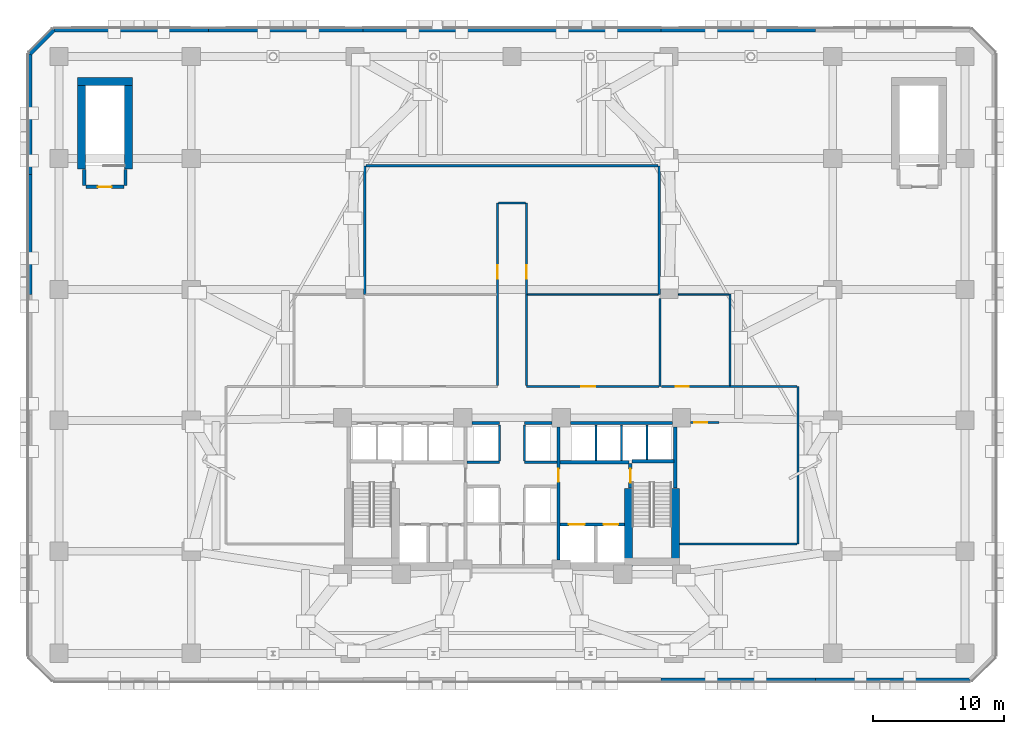
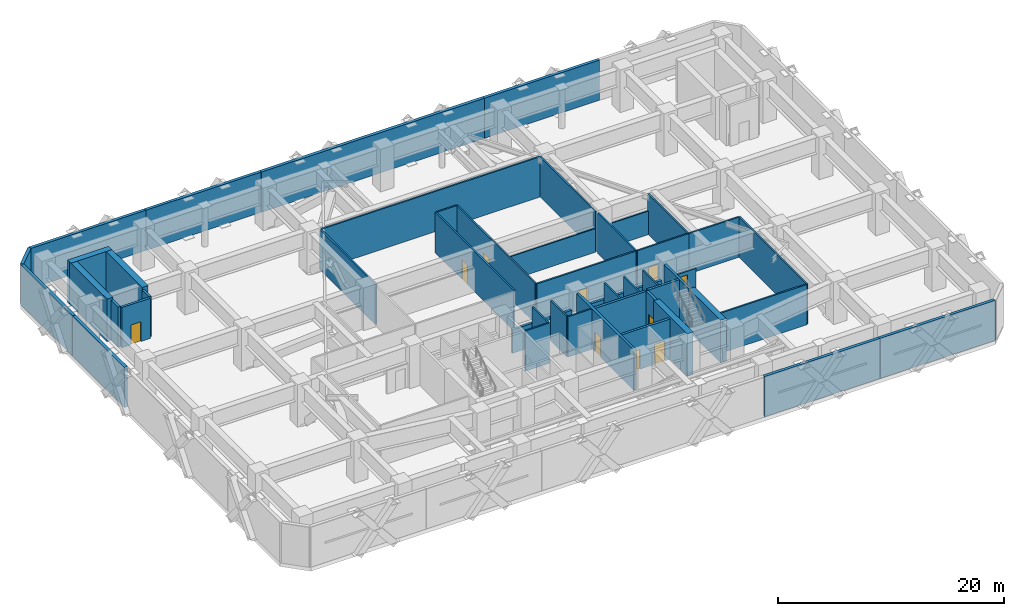
# One storey, part 10 of 14: 49 walls, 10 doors, 10 openings.
"""IFC4 building model written with IfcOpenShell, lengths in metres."""

from ifc_helpers import new_model, si_unit, direction, frame, frame_2d, origin, place, context, subcontext, project, spatial, rectangle, extrude, material, layer, layer_set, type_object, element, fill, save


model = new_model("IFC4")

# Units and contexts
model_context = context("Model", 3, precision=1e-05, world=origin(), true_north=direction((0.0, 1.0)))
body_context = subcontext(model_context, "Body", "Model", "MODEL_VIEW")
ifc_project = project(units=[si_unit("LENGTHUNIT", "METRE"), si_unit("AREAUNIT", "SQUARE_METRE"), si_unit("VOLUMEUNIT", "CUBIC_METRE"), si_unit("PLANEANGLEUNIT", "RADIAN"), si_unit("MASSUNIT", "GRAM", prefix="KILO")], contexts=[model_context])

# Site, building, storey
site_placement = place(None, origin())
site = spatial("IfcSite", under=ifc_project, at=site_placement, CompositionType="ELEMENT")
building_placement = place(site_placement, origin())
building = spatial("IfcBuilding", under=site, at=building_placement, Name="Quenlor Broadcast Tower", CompositionType="ELEMENT")
storey_placement = place(building_placement, frame((0.0, 0.0, 23.0)))
storey = spatial("IfcBuildingStorey", under=building, at=storey_placement, Name="L05", CompositionType="ELEMENT", Elevation=23.0)

# Walls
ifc_material_1 = material(Name="Concrete C65/80", Category="concrete")
ifc_layer_1 = layer(ifc_material_1, 0.60009765625)
ifc_layer_set_1 = layer_set([ifc_layer_1], Name="Core Concrete C65/80 Shear Wall 600")
wall_type_1 = type_object("IfcWallType", Name="Core Concrete C65/80 Shear Wall 600", PredefinedType="SHEAR", material=ifc_layer_set_1)
wall_1_placement = place(storey_placement, frame((12.5, -15.800048828125, 0.0), z_axis=(0.0, 0.0, 1.0), x_axis=(0.0, 1.0, 0.0)))
element("IfcWall", 1, at=wall_1_placement, inside=storey, type_object=wall_type_1, Name="L05 Core Shear Wall WF-E", PredefinedType="SHEAR", context=body_context, shape_type="SweptSolid", body=[
    extrude(rectangle(XDim=5.60009765625, YDim=0.60009765625, at=frame_2d((2.800048828125, 0.0))), origin(), (0.0, 0.0, 1.0), 4.60009765625),
])
wall_2_placement = place(storey_placement, frame((8.89990234375, -16.14990234375, 0.0), z_axis=(0.0, 0.0, 1.0), x_axis=(0.0, 1.0, 0.0)))
element("IfcWall", 2, at=wall_2_placement, inside=storey, type_object=wall_type_1, Name="L05 Core Shear Wall WI-E", PredefinedType="SHEAR", context=body_context, shape_type="SweptSolid", body=[
    extrude(rectangle(XDim=5.949951171875, YDim=0.60009765625, at=frame_2d((2.97509765625, 0.0))), origin(), (0.0, 0.0, 1.0), 4.60009765625),
])
wall_3_placement = place(storey_placement, frame((-33.199951171875, 20.89990234375, 0.0), z_axis=(0.0, 0.0, 1.0), x_axis=(1.0, 0.0, 0.0)))
element("IfcWall", 3, at=wall_3_placement, inside=storey, type_object=wall_type_1, Name="L05 Core Shear Wall ST3-N", PredefinedType="SHEAR", context=body_context, shape_type="SweptSolid", body=[
    extrude(rectangle(XDim=4.199951171875, YDim=0.60009765625, at=frame_2d((2.10009765625, 0.0))), origin(), (0.0, 0.0, 1.0), 4.60009765625),
])
for number, where, z_axis, x_axis, name in (
    (4, (-32.89990234375, 14.199951171875, 0.0), (0.0, 0.0, 1.0), (0.0, 1.0, 0.0), "L05 Core Shear Wall ST3-W"),
    (5, (-29.300048828125, 14.199951171875, 0.0), (0.0, 0.0, 1.0), (0.0, 1.0, 0.0), "L05 Core Shear Wall ST3-E"),
):
    element("IfcWall", number, at=place(storey_placement, frame(where, z_axis=z_axis, x_axis=x_axis)), inside=storey, type_object=wall_type_1, Name=name, PredefinedType="SHEAR", context=body_context, shape_type="SweptSolid", body=[
        extrude(rectangle(XDim=6.699951171875, YDim=0.60009765625, at=frame_2d((3.35009765625, 0.0))), origin(), (0.0, 0.0, 1.0), 4.60009765625),
    ])

# Wall, opening, door
ifc_material_2 = material(Name="Concrete C40/50", Category="concrete")
ifc_layer_2 = layer(ifc_material_2, 0.25)
ifc_layer_set_2 = layer_set([ifc_layer_2], Name="Fire Rated Concrete C40/50 Core Wall 250")
wall_type_2 = type_object("IfcWallType", Name="Fire Rated Concrete C40/50 Core Wall 250", PredefinedType="PARTITIONING", material=ifc_layer_set_2)
wall_4_placement = place(storey_placement, frame((9.0400390625, -10.179931640625, 0.0), z_axis=(0.0, 0.0, 1.0), x_axis=(0.0, 1.0, 0.0)))
wall_4 = element("IfcWall", 6, at=wall_4_placement, inside=storey, type_object=wall_type_2, Name="L05 Interior Wall CW-ST2-DR", PredefinedType="PARTITIONING", context=body_context, shape_type="SweptSolid", body=[
    extrude(rectangle(XDim=1.89990234375, YDim=0.25, at=frame_2d((0.949951171875, 0.0))), origin(), (0.0, 0.0, 1.0), 4.35009765625),
])
opening_1_placement = place(wall_4_placement, frame((0.419921875, 0.0, 0.0)))
opening_1 = element("IfcOpeningElement", 7, at=opening_1_placement, cuts=wall_4, Name="Opening FD-1", PredefinedType="OPENING", context=body_context, shape_type="SweptSolid", body=[
    extrude(rectangle(XDim=1.050048828125, YDim=2.14990234375, at=frame_2d((0.52490234375, 1.074951171875))), frame((0.0, 0.135009765625, 0.0), z_axis=(0.0, -1.0, 0.0), x_axis=(1.0, 0.0, 0.0)), (0.0, 0.0, 1.0), 0.27001953125),
])
ifc_material_3 = material(Name="Fire Rated Steel Door Leaf", Category="steel")
door_type_1 = type_object("IfcDoorType", Name="Fire Isolated Stair Door 1050x2150", OperationType="NOTDEFINED", PredefinedType="DOOR", material=ifc_material_3)
door_1_placement = place(opening_1_placement, origin())
door_1 = element("IfcDoor", 8, at=door_1_placement, inside=storey, type_object=door_type_1, Name="L05 Door DR-ST2", OperationType="SINGLE_SWING_RIGHT", OverallHeight=2.14990234375, OverallWidth=1.050048828125, PredefinedType="DOOR", context=body_context, shape_type="SweptSolid", body=[
    extrude(rectangle(XDim=1.050048828125, YDim=2.14990234375, at=frame_2d((0.52490234375, 1.074951171875))), frame((0.0, 0.02490234375, 0.0), z_axis=(0.0, -1.0, 0.0), x_axis=(1.0, 0.0, 0.0)), (0.0, 0.0, 1.0), 0.050048828125),
])
fill(opening_1, door_1)

# Walls
wall_5_placement = place(storey_placement, frame((9.159912109375, -8.1201171875, 0.0), z_axis=(0.0, 0.0, 1.0), x_axis=(1.0, 0.0, 0.0)))
element("IfcWall", 9, at=wall_5_placement, inside=storey, type_object=wall_type_2, Name="L05 Interior Wall CW-ST2-N", PredefinedType="PARTITIONING", context=body_context, shape_type="SweptSolid", body=[
    extrude(rectangle(XDim=3.219970703125, YDim=0.25, at=frame_2d((1.60986328125, 0.0))), origin(), (0.0, 0.0, 1.0), 4.35009765625),
])
wall_6_placement = place(storey_placement, frame((12.47998046875, -10.179931640625, 0.0), z_axis=(0.0, 0.0, 1.0), x_axis=(0.0, 1.0, 0.0)))
element("IfcWall", 10, at=wall_6_placement, inside=storey, type_object=wall_type_2, Name="L05 Interior Wall CW-ST2-E2", PredefinedType="PARTITIONING", context=body_context, shape_type="SweptSolid", body=[
    extrude(rectangle(XDim=4.677978515625, YDim=0.25, at=frame_2d((2.3388671875, 0.0))), origin(), (0.0, 0.0, 1.0), 4.35009765625),
])

# Wall, opening, door
wall_7_placement = place(storey_placement, frame((-32.550048828125, 12.840087890625, 0.0), z_axis=(0.0, 0.0, 1.0), x_axis=(1.0, 0.0, 0.0)))
wall_7 = element("IfcWall", 11, at=wall_7_placement, inside=storey, type_object=wall_type_2, Name="L05 Interior Wall CW-ST3-S", PredefinedType="PARTITIONING", context=body_context, shape_type="SweptSolid", body=[
    extrude(rectangle(XDim=2.900146484375, YDim=0.25, at=frame_2d((1.4501953125, 0.0))), origin(), (0.0, 0.0, 1.0), 4.35009765625),
])
opening_2_placement = place(wall_7_placement, frame((0.919921875, 0.0, 0.0)))
opening_2 = element("IfcOpeningElement", 12, at=opening_2_placement, cuts=wall_7, Name="Opening FD-1", PredefinedType="OPENING", context=body_context, shape_type="SweptSolid", body=[
    extrude(rectangle(XDim=1.050048828125, YDim=2.14990234375, at=frame_2d((0.52490234375, 1.074951171875))), frame((0.0, 0.135009765625, 0.0), z_axis=(0.0, -1.0, 0.0), x_axis=(1.0, 0.0, 0.0)), (0.0, 0.0, 1.0), 0.27001953125),
])
door_2_placement = place(opening_2_placement, origin())
door_2 = element("IfcDoor", 13, at=door_2_placement, inside=storey, type_object=door_type_1, Name="L05 Door DR-ST3", OperationType="SINGLE_SWING_LEFT", OverallHeight=2.14990234375, OverallWidth=1.050048828125, PredefinedType="DOOR", context=body_context, shape_type="SweptSolid", body=[
    extrude(rectangle(XDim=1.050048828125, YDim=2.14990234375, at=frame_2d((0.52490234375, 1.074951171875))), frame((0.0, 0.02490234375, 0.0), z_axis=(0.0, -1.0, 0.0), x_axis=(1.0, 0.0, 0.0)), (0.0, 0.0, 1.0), 0.050048828125),
])
fill(opening_2, door_2)

# Walls
for number, where, z_axis, x_axis, name in (
    (14, (-32.679931640625, 12.9599609375, 0.0), (0.0, 0.0, 1.0), (0.0, 1.0, 0.0), "L05 Interior Wall CW-ST3-W1"),
    (15, (-29.52001953125, 12.9599609375, 0.0), (0.0, 0.0, 1.0), (0.0, 1.0, 0.0), "L05 Interior Wall CW-ST3-E1"),
):
    element("IfcWall", number, at=place(storey_placement, frame(where, z_axis=z_axis, x_axis=x_axis)), inside=storey, type_object=wall_type_2, Name=name, PredefinedType="PARTITIONING", context=body_context, shape_type="SweptSolid", body=[
        extrude(rectangle(XDim=1.219970703125, YDim=0.25, at=frame_2d((0.60986328125, 0.0))), origin(), (0.0, 0.0, 1.0), 4.35009765625),
    ])

# Wall, openings, doors
wall_8_placement = place(storey_placement, frame((3.679931640625, -12.949951171875, 0.0), z_axis=(0.0, 0.0, 1.0), x_axis=(1.0, 0.0, 0.0)))
wall_8 = element("IfcWall", 16, at=wall_8_placement, inside=storey, type_object=wall_type_2, Name="L05 Interior Wall CW-FFE-S", PredefinedType="PARTITIONING", context=body_context, shape_type="SweptSolid", body=[
    extrude(rectangle(XDim=4.91796875, YDim=0.25, at=frame_2d((2.458984375, 0.0))), origin(), (0.0, 0.0, 1.0), 4.35009765625),
])
opening_3_placement = place(wall_8_placement, frame((3.320068359375, 0.0, 0.0)))
opening_3 = element("IfcOpeningElement", 17, at=opening_3_placement, cuts=wall_8, Name="Opening LD-FFL-2", PredefinedType="OPENING", context=body_context, shape_type="SweptSolid", body=[
    extrude(rectangle(XDim=1.10009765625, YDim=2.14990234375, at=frame_2d((0.550048828125, 1.074951171875))), frame((0.0, 0.135009765625, 0.0), z_axis=(0.0, -1.0, 0.0), x_axis=(1.0, 0.0, 0.0)), (0.0, 0.0, 1.0), 0.27001953125),
])
opening_4_placement = place(wall_8_placement, frame((0.669921875, 0.0, 0.0)))
opening_4 = element("IfcOpeningElement", 18, at=opening_4_placement, cuts=wall_8, Name="Opening LD-SVL-1", PredefinedType="OPENING", context=body_context, shape_type="SweptSolid", body=[
    extrude(rectangle(XDim=1.199951171875, YDim=2.14990234375, at=frame_2d((0.60009765625, 1.074951171875))), frame((0.0, 0.135009765625, 0.0), z_axis=(0.0, -1.0, 0.0), x_axis=(1.0, 0.0, 0.0)), (0.0, 0.0, 1.0), 0.27001953125),
])
ifc_material_4 = material(Name="Brushed Stainless Steel", Category="steel")
door_type_2 = type_object("IfcDoorType", Name="Emergency Lift Sliding Landing Door 1100x2150", OperationType="NOTDEFINED", PredefinedType="DOOR", material=ifc_material_4)
door_3_placement = place(opening_3_placement, origin())
door_3 = element("IfcDoor", 19, at=door_3_placement, inside=storey, type_object=door_type_2, Name="L05 Door LD-FFL-2", OperationType="SLIDING_TO_RIGHT", OverallHeight=2.14990234375, OverallWidth=1.10009765625, PredefinedType="DOOR", context=body_context, shape_type="SweptSolid", body=[
    extrude(rectangle(XDim=1.10009765625, YDim=2.14990234375, at=frame_2d((0.550048828125, 1.074951171875))), frame((0.0, 0.02490234375, 0.0), z_axis=(0.0, -1.0, 0.0), x_axis=(1.0, 0.0, 0.0)), (0.0, 0.0, 1.0), 0.050048828125),
])
fill(opening_3, door_3)
ifc_material_5 = material(Name="Brushed Stainless Steel", Category="steel")
door_type_3 = type_object("IfcDoorType", Name="Goods Lift Sliding Landing Door 1200x2150", OperationType="NOTDEFINED", PredefinedType="DOOR", material=ifc_material_5)
door_4_placement = place(opening_4_placement, origin())
door_4 = element("IfcDoor", 20, at=door_4_placement, inside=storey, type_object=door_type_3, Name="L05 Door LD-SVL-1", OperationType="SLIDING_TO_LEFT", OverallHeight=2.14990234375, OverallWidth=1.199951171875, PredefinedType="DOOR", context=body_context, shape_type="SweptSolid", body=[
    extrude(rectangle(XDim=1.199951171875, YDim=2.14990234375, at=frame_2d((0.60009765625, 1.074951171875))), frame((0.0, 0.02490234375, 0.0), z_axis=(0.0, -1.0, 0.0), x_axis=(1.0, 0.0, 0.0)), (0.0, 0.0, 1.0), 0.050048828125),
])
fill(opening_4, door_4)

# Wall
wall_9_placement = place(storey_placement, frame((3.679931640625, -8.199951171875, 0.0), z_axis=(0.0, 0.0, 1.0), x_axis=(1.0, 0.0, 0.0)))
element("IfcWall", 21, at=wall_9_placement, inside=storey, type_object=wall_type_2, Name="L05 Interior Wall CW-FFE-N", PredefinedType="PARTITIONING", context=body_context, shape_type="SweptSolid", body=[
    extrude(rectangle(XDim=5.239990234375, YDim=0.25, at=frame_2d((2.6201171875, 0.0))), origin(), (0.0, 0.0, 1.0), 4.35009765625),
])

# Wall, opening, door
wall_10_placement = place(storey_placement, frame((3.550048828125, -15.64794921875, 0.0), z_axis=(0.0, 0.0, 1.0), x_axis=(0.0, 1.0, 0.0)))
wall_10 = element("IfcWall", 22, at=wall_10_placement, inside=storey, type_object=wall_type_2, Name="L05 Interior Wall CW-FFE-W", PredefinedType="PARTITIONING", context=body_context, shape_type="SweptSolid", body=[
    extrude(rectangle(XDim=10.14599609375, YDim=0.25, at=frame_2d((5.072998046875, 0.0))), origin(), (0.0, 0.0, 1.0), 4.35009765625),
])
opening_5_placement = place(wall_10_placement, frame((5.947998046875, 0.0, 0.0)))
opening_5 = element("IfcOpeningElement", 23, at=opening_5_placement, cuts=wall_10, Name="Opening FD-2", PredefinedType="OPENING", context=body_context, shape_type="SweptSolid", body=[
    extrude(rectangle(XDim=1.0, YDim=2.14990234375, at=frame_2d((0.5, 1.074951171875))), frame((0.0, 0.135009765625, 0.0), z_axis=(0.0, -1.0, 0.0), x_axis=(1.0, 0.0, 0.0)), (0.0, 0.0, 1.0), 0.27001953125),
])
ifc_material_6 = material(Name="Fire Rated Glazed Steel Door", Category="steel")
door_type_4 = type_object("IfcDoorType", Name="Firefighting Lobby Smoke Door 1000x2150", OperationType="NOTDEFINED", PredefinedType="DOOR", material=ifc_material_6)
door_5_placement = place(opening_5_placement, origin())
door_5 = element("IfcDoor", 24, at=door_5_placement, inside=storey, type_object=door_type_4, Name="L05 Door DR-FFLE", OperationType="SINGLE_SWING_LEFT", OverallHeight=2.14990234375, OverallWidth=1.0, PredefinedType="DOOR", context=body_context, shape_type="SweptSolid", body=[
    extrude(rectangle(XDim=1.0, YDim=2.14990234375, at=frame_2d((0.5, 1.074951171875))), frame((0.0, 0.02490234375, 0.0), z_axis=(0.0, -1.0, 0.0), x_axis=(1.0, 0.0, 0.0)), (0.0, 0.0, 1.0), 0.050048828125),
])
fill(opening_5, door_5)

# Walls
wall_11_placement = place(storey_placement, frame((4.451904296875, -5.199951171875, 0.0), z_axis=(0.0, 0.0, 1.0), x_axis=(1.0, 0.0, 0.0)))
element("IfcWall", 25, at=wall_11_placement, inside=storey, type_object=wall_type_2, Name="L05 Interior Wall CW-N-E", PredefinedType="PARTITIONING", context=body_context, shape_type="SweptSolid", body=[
    extrude(rectangle(XDim=7.796142578125, YDim=0.25, at=frame_2d((3.89794921875, 0.0))), origin(), (0.0, 0.0, 1.0), 2.550048828125),
])
for number, where, z_axis, x_axis, name in (
    (26, (-3.048095703125, -5.199951171875, 0.0), (0.0, 0.0, 1.0), (1.0, 0.0, 0.0), "L05 Interior Wall CW-N-M1"),
    (27, (0.949951171875, -5.199951171875, 0.0), (0.0, 0.0, 1.0), (1.0, 0.0, 0.0), "L05 Interior Wall CW-N-M2"),
):
    element("IfcWall", number, at=place(storey_placement, frame(where, z_axis=z_axis, x_axis=x_axis)), inside=storey, type_object=wall_type_2, Name=name, PredefinedType="PARTITIONING", context=body_context, shape_type="SweptSolid", body=[
        extrude(rectangle(XDim=2.09814453125, YDim=0.25, at=frame_2d((1.049072265625, 0.0))), origin(), (0.0, 0.0, 1.0), 2.550048828125),
    ])
ifc_material_7 = material(Name="Gypsum Fireboard Partition", Category="other")
ifc_layer_3 = layer(ifc_material_7, 0.159912109375)
ifc_layer_set_3 = layer_set([ifc_layer_3], Name="Fire Rated Shaft and Corridor Partition 160")
wall_type_3 = type_object("IfcWallType", Name="Fire Rated Shaft and Corridor Partition 160", PredefinedType="PARTITIONING", material=ifc_layer_set_3)
for number, where, z_axis, x_axis, name in (
    (28, (6.425048828125, -8.072998046875, 0.0), (0.0, 0.0, 1.0), (0.0, 1.0, 0.0), "L05 Interior Wall CW-PLH-D1"),
    (29, (8.375, -8.072998046875, 0.0), (0.0, 0.0, 1.0), (0.0, 1.0, 0.0), "L05 Interior Wall CW-PLH-D2"),
):
    element("IfcWall", number, at=place(storey_placement, frame(where, z_axis=z_axis, x_axis=x_axis)), inside=storey, type_object=wall_type_3, Name=name, PredefinedType="PARTITIONING", context=body_context, shape_type="SweptSolid", body=[
        extrude(rectangle(XDim=2.73291015625, YDim=0.159912109375, at=frame_2d((1.366455078125, 0.0))), origin(), (0.0, 0.0, 1.0), 4.35009765625),
    ])
wall_12_placement = place(storey_placement, frame((10.324951171875, -7.992919921875, 0.0), z_axis=(0.0, 0.0, 1.0), x_axis=(0.0, 1.0, 0.0)))
element("IfcWall", 30, at=wall_12_placement, inside=storey, type_object=wall_type_3, Name="L05 Interior Wall CW-PLH-D3", PredefinedType="PARTITIONING", context=body_context, shape_type="SweptSolid", body=[
    extrude(rectangle(XDim=2.65283203125, YDim=0.159912109375, at=frame_2d((1.326416015625, 0.0))), origin(), (0.0, 0.0, 1.0), 4.35009765625),
])
for number, where, z_axis, x_axis, name in (
    (31, (-0.949951171875, -8.1201171875, 0.0), (0.0, 0.0, 1.0), (0.0, 1.0, 0.0), "L05 Interior Wall CW-CCRP-W"),
    (32, (0.949951171875, -8.1201171875, 0.0), (0.0, 0.0, 1.0), (0.0, 1.0, 0.0), "L05 Interior Wall CW-CCRP-E"),
):
    element("IfcWall", number, at=place(storey_placement, frame(where, z_axis=z_axis, x_axis=x_axis)), inside=storey, type_object=wall_type_3, Name=name, PredefinedType="PARTITIONING", context=body_context, shape_type="SweptSolid", body=[
        extrude(rectangle(XDim=2.780029296875, YDim=0.159912109375, at=frame_2d((1.39013671875, 0.0))), origin(), (0.0, 0.0, 1.0), 4.35009765625),
    ])
for number, where, z_axis, x_axis, name in (
    (33, (-3.419921875, -8.199951171875, 0.0), (0.0, 0.0, 1.0), (1.0, 0.0, 0.0), "L05 Interior Wall CW-M-BACK1"),
    (34, (0.949951171875, -8.199951171875, 0.0), (0.0, 0.0, 1.0), (1.0, 0.0, 0.0), "L05 Interior Wall CW-M-BACK2"),
):
    element("IfcWall", number, at=place(storey_placement, frame(where, z_axis=z_axis, x_axis=x_axis)), inside=storey, type_object=wall_type_3, Name=name, PredefinedType="PARTITIONING", context=body_context, shape_type="SweptSolid", body=[
        extrude(rectangle(XDim=2.469970703125, YDim=0.159912109375, at=frame_2d((1.23486328125, 0.0))), origin(), (0.0, 0.0, 1.0), 4.35009765625),
    ])
wall_13_placement = place(storey_placement, frame((21.85009765625, -14.449951171875, 0.0), z_axis=(0.0, 0.0, 1.0), x_axis=(0.0, 1.0, 0.0)))
element("IfcWall", 35, at=wall_13_placement, inside=storey, type_object=wall_type_3, Name="L05 Interior Wall PW-L05-RE-E", PredefinedType="PARTITIONING", context=body_context, shape_type="SweptSolid", body=[
    extrude(rectangle(XDim=12.030029296875, YDim=0.159912109375, at=frame_2d((6.01513671875, 0.0))), origin(), (0.0, 0.0, 1.0), 4.35009765625),
])
wall_14_placement = place(storey_placement, frame((12.802001953125, -14.449951171875, 0.0), z_axis=(0.0, 0.0, 1.0), x_axis=(1.0, 0.0, 0.0)))
element("IfcWall", 36, at=wall_14_placement, inside=storey, type_object=wall_type_3, Name="L05 Interior Wall PW-L05-RE-S", PredefinedType="PARTITIONING", context=body_context, shape_type="SweptSolid", body=[
    extrude(rectangle(XDim=8.966064453125, YDim=0.159912109375, at=frame_2d((4.48291015625, 0.0))), origin(), (0.0, 0.0, 1.0), 4.35009765625),
])
wall_15_placement = place(storey_placement, frame((16.64990234375, -2.419921875, 0.0), z_axis=(0.0, 0.0, 1.0), x_axis=(1.0, 0.0, 0.0)))
element("IfcWall", 37, at=wall_15_placement, inside=storey, type_object=wall_type_3, Name="L05 Interior Wall PW-L05-RE-N", PredefinedType="PARTITIONING", context=body_context, shape_type="SweptSolid", body=[
    extrude(rectangle(XDim=5.1181640625, YDim=0.159912109375, at=frame_2d((2.55908203125, 0.0))), origin(), (0.0, 0.0, 1.0), 4.35009765625),
])
wall_16_placement = place(storey_placement, frame((16.64990234375, -2.337890625, 0.0), z_axis=(0.0, 0.0, 1.0), x_axis=(0.0, 1.0, 0.0)))
element("IfcWall", 38, at=wall_16_placement, inside=storey, type_object=wall_type_3, Name="L05 Interior Wall PW-L05-P2E", PredefinedType="PARTITIONING", context=body_context, shape_type="SweptSolid", body=[
    extrude(rectangle(XDim=7.0078125, YDim=0.159912109375, at=frame_2d((3.50390625, 0.0))), origin(), (0.0, 0.0, 1.0), 4.35009765625),
])
wall_17_placement = place(storey_placement, frame((11.320068359375, -2.419921875, 0.0), z_axis=(0.0, 0.0, 1.0), x_axis=(0.0, 1.0, 0.0)))
element("IfcWall", 39, at=wall_17_placement, inside=storey, type_object=wall_type_3, Name="L05 Interior Wall PW-L05-RME", PredefinedType="PARTITIONING", context=body_context, shape_type="SweptSolid", body=[
    extrude(rectangle(XDim=6.718017578125, YDim=0.159912109375, at=frame_2d((3.35888671875, 0.0))), origin(), (0.0, 0.0, 1.0), 4.35009765625),
])
for number, where, z_axis, x_axis, name in (
    (40, (-11.25, 4.60009765625, 0.0), (0.0, 0.0, 1.0), (0.0, 1.0, 0.0), "L05 Interior Wall PW-L05-P3W"),
    (41, (11.25, 4.60009765625, 0.0), (0.0, 0.0, 1.0), (0.0, 1.0, 0.0), "L05 Interior Wall PW-L05-P4E"),
):
    element("IfcWall", number, at=place(storey_placement, frame(where, z_axis=z_axis, x_axis=x_axis)), inside=storey, type_object=wall_type_3, Name=name, PredefinedType="PARTITIONING", context=body_context, shape_type="SweptSolid", body=[
        extrude(rectangle(XDim=9.849853515625, YDim=0.159912109375, at=frame_2d((4.9248046875, 0.0))), origin(), (0.0, 0.0, 1.0), 4.35009765625),
    ])
wall_18_placement = place(storey_placement, frame((-11.16796875, 14.449951171875, 0.0), z_axis=(0.0, 0.0, 1.0), x_axis=(1.0, 0.0, 0.0)))
element("IfcWall", 42, at=wall_18_placement, inside=storey, type_object=wall_type_3, Name="L05 Interior Wall PW-L05-PN", PredefinedType="PARTITIONING", context=body_context, shape_type="SweptSolid", body=[
    extrude(rectangle(XDim=22.3359375, YDim=0.159912109375, at=frame_2d((11.16796875, 0.0))), origin(), (0.0, 0.0, 1.0), 4.35009765625),
])

# Wall, opening, door
wall_19_placement = place(storey_placement, frame((1.10009765625, -2.419921875, 0.0), z_axis=(0.0, 0.0, 1.0), x_axis=(1.0, 0.0, 0.0)))
wall_19 = element("IfcWall", 43, at=wall_19_placement, inside=storey, type_object=wall_type_3, Name="L05 Interior Wall PW-PL-HE", PredefinedType="PARTITIONING", context=body_context, shape_type="SweptSolid", body=[
    extrude(rectangle(XDim=10.137939453125, YDim=0.159912109375, at=frame_2d((5.06884765625, 0.0))), origin(), (0.0, 0.0, 1.0), 4.35009765625),
])
opening_6_placement = place(wall_19_placement, frame((4.199951171875, 0.0, 0.0)))
opening_6 = element("IfcOpeningElement", 44, at=opening_6_placement, cuts=wall_19, Name="Opening FD-3", PredefinedType="OPENING", context=body_context, shape_type="SweptSolid", body=[
    extrude(rectangle(XDim=1.050048828125, YDim=2.1201171875, at=frame_2d((0.52490234375, 1.06005859375))), frame((0.0, 0.08984375, 0.0), z_axis=(0.0, -1.0, 0.0), x_axis=(1.0, 0.0, 0.0)), (0.0, 0.0, 1.0), 0.179931640625),
])
ifc_material_8 = material(Name="Galvanised Fire Steel Leaf", Category="steel")
door_type_5 = type_object("IfcDoorType", Name="Plant Room Fire Rated Door 1050x2120", OperationType="NOTDEFINED", PredefinedType="DOOR", material=ifc_material_8)
door_6_placement = place(opening_6_placement, origin())
door_6 = element("IfcDoor", 45, at=door_6_placement, inside=storey, type_object=door_type_5, Name="L05 Door DR-PLT2", OperationType="SINGLE_SWING_RIGHT", OverallHeight=2.1201171875, OverallWidth=1.050048828125, PredefinedType="DOOR", context=body_context, shape_type="SweptSolid", body=[
    extrude(rectangle(XDim=1.050048828125, YDim=2.1201171875, at=frame_2d((0.52490234375, 1.06005859375))), frame((0.0, 0.02490234375, 0.0), z_axis=(0.0, -1.0, 0.0), x_axis=(1.0, 0.0, 0.0)), (0.0, 0.0, 1.0), 0.050048828125),
])
fill(opening_6, door_6)

wall_20_placement = place(storey_placement, frame((11.402099609375, -2.419921875, 0.0), z_axis=(0.0, 0.0, 1.0), x_axis=(1.0, 0.0, 0.0)))
wall_20 = element("IfcWall", 46, at=wall_20_placement, inside=storey, type_object=wall_type_3, Name="L05 Interior Wall PW-PL-HES2", PredefinedType="PARTITIONING", context=body_context, shape_type="SweptSolid", body=[
    extrude(rectangle(XDim=5.245849609375, YDim=0.159912109375, at=frame_2d((2.623046875, 0.0))), origin(), (0.0, 0.0, 1.0), 4.35009765625),
])
opening_7_placement = place(wall_20_placement, frame((1.097900390625, 0.0, 0.0)))
opening_7 = element("IfcOpeningElement", 47, at=opening_7_placement, cuts=wall_20, Name="Opening FD-2", PredefinedType="OPENING", context=body_context, shape_type="SweptSolid", body=[
    extrude(rectangle(XDim=1.0, YDim=2.14990234375, at=frame_2d((0.5, 1.074951171875))), frame((0.0, 0.08984375, 0.0), z_axis=(0.0, -1.0, 0.0), x_axis=(1.0, 0.0, 0.0)), (0.0, 0.0, 1.0), 0.179931640625),
])
door_7_placement = place(opening_7_placement, origin())
door_7 = element("IfcDoor", 48, at=door_7_placement, inside=storey, type_object=door_type_4, Name="L05 Door DR-REFE2", OperationType="SINGLE_SWING_RIGHT", OverallHeight=2.14990234375, OverallWidth=1.0, PredefinedType="DOOR", context=body_context, shape_type="SweptSolid", body=[
    extrude(rectangle(XDim=1.0, YDim=2.14990234375, at=frame_2d((0.5, 1.074951171875))), frame((0.0, 0.02490234375, 0.0), z_axis=(0.0, -1.0, 0.0), x_axis=(1.0, 0.0, 0.0)), (0.0, 0.0, 1.0), 0.050048828125),
])
fill(opening_7, door_7)

wall_21_placement = place(storey_placement, frame((-1.10009765625, -2.337890625, 0.0), z_axis=(0.0, 0.0, 1.0), x_axis=(0.0, 1.0, 0.0)))
wall_21 = element("IfcWall", 49, at=wall_21_placement, inside=storey, type_object=wall_type_3, Name="L05 Interior Wall PW-PL-SW", PredefinedType="PARTITIONING", context=body_context, shape_type="SweptSolid", body=[
    extrude(rectangle(XDim=13.93798828125, YDim=0.159912109375, at=frame_2d((6.968994140625, 0.0))), origin(), (0.0, 0.0, 1.0), 4.35009765625),
])
opening_8_placement = place(wall_21_placement, frame((8.137939453125, 0.0, 0.0)))
opening_8 = element("IfcOpeningElement", 50, at=opening_8_placement, cuts=wall_21, Name="Opening FD-3", PredefinedType="OPENING", context=body_context, shape_type="SweptSolid", body=[
    extrude(rectangle(XDim=1.050048828125, YDim=2.1201171875, at=frame_2d((0.52490234375, 1.06005859375))), frame((0.0, 0.08984375, 0.0), z_axis=(0.0, -1.0, 0.0), x_axis=(1.0, 0.0, 0.0)), (0.0, 0.0, 1.0), 0.179931640625),
])
door_8_placement = place(opening_8_placement, origin())
door_8 = element("IfcDoor", 51, at=door_8_placement, inside=storey, type_object=door_type_5, Name="L05 Door DR-PLT3", OperationType="SINGLE_SWING_LEFT", OverallHeight=2.1201171875, OverallWidth=1.050048828125, PredefinedType="DOOR", context=body_context, shape_type="SweptSolid", body=[
    extrude(rectangle(XDim=1.050048828125, YDim=2.1201171875, at=frame_2d((0.52490234375, 1.06005859375))), frame((0.0, 0.02490234375, 0.0), z_axis=(0.0, -1.0, 0.0), x_axis=(1.0, 0.0, 0.0)), (0.0, 0.0, 1.0), 0.050048828125),
])
fill(opening_8, door_8)

wall_22_placement = place(storey_placement, frame((1.10009765625, -2.337890625, 0.0), z_axis=(0.0, 0.0, 1.0), x_axis=(0.0, 1.0, 0.0)))
wall_22 = element("IfcWall", 52, at=wall_22_placement, inside=storey, type_object=wall_type_3, Name="L05 Interior Wall PW-PL-SE", PredefinedType="PARTITIONING", context=body_context, shape_type="SweptSolid", body=[
    extrude(rectangle(XDim=13.93798828125, YDim=0.159912109375, at=frame_2d((6.968994140625, 0.0))), origin(), (0.0, 0.0, 1.0), 4.35009765625),
])
opening_9_placement = place(wall_22_placement, frame((8.137939453125, 0.0, 0.0)))
opening_9 = element("IfcOpeningElement", 53, at=opening_9_placement, cuts=wall_22, Name="Opening FD-3", PredefinedType="OPENING", context=body_context, shape_type="SweptSolid", body=[
    extrude(rectangle(XDim=1.050048828125, YDim=2.1201171875, at=frame_2d((0.52490234375, 1.06005859375))), frame((0.0, 0.08984375, 0.0), z_axis=(0.0, -1.0, 0.0), x_axis=(1.0, 0.0, 0.0)), (0.0, 0.0, 1.0), 0.179931640625),
])
door_9_placement = place(opening_9_placement, origin())
door_9 = element("IfcDoor", 54, at=door_9_placement, inside=storey, type_object=door_type_5, Name="L05 Door DR-PLT4", OperationType="SINGLE_SWING_RIGHT", OverallHeight=2.1201171875, OverallWidth=1.050048828125, PredefinedType="DOOR", context=body_context, shape_type="SweptSolid", body=[
    extrude(rectangle(XDim=1.050048828125, YDim=2.1201171875, at=frame_2d((0.52490234375, 1.06005859375))), frame((0.0, 0.02490234375, 0.0), z_axis=(0.0, -1.0, 0.0), x_axis=(1.0, 0.0, 0.0)), (0.0, 0.0, 1.0), 0.050048828125),
])
fill(opening_9, door_9)

# Wall
wall_23_placement = place(storey_placement, frame((-1.01806640625, 11.60009765625, 0.0), z_axis=(0.0, 0.0, 1.0), x_axis=(1.0, 0.0, 0.0)))
element("IfcWall", 55, at=wall_23_placement, inside=storey, type_object=wall_type_3, Name="L05 Interior Wall PW-PL-N", PredefinedType="PARTITIONING", context=body_context, shape_type="SweptSolid", body=[
    extrude(rectangle(XDim=2.0361328125, YDim=0.159912109375, at=frame_2d((1.01806640625, 0.0))), origin(), (0.0, 0.0, 1.0), 4.35009765625),
])

# Wall, opening, door
wall_24_placement = place(storey_placement, frame((13.652099609375, -5.14990234375, 0.0), z_axis=(0.0, 0.0, 1.0), x_axis=(1.0, 0.0, 0.0)))
wall_24 = element("IfcWall", 56, at=wall_24_placement, inside=storey, type_object=wall_type_3, Name="L05 Interior Wall PW-RF-E", PredefinedType="PARTITIONING", context=body_context, shape_type="SweptSolid", body=[
    extrude(rectangle(XDim=2.14794921875, YDim=0.159912109375, at=frame_2d((1.073974609375, 0.0))), origin(), (0.0, 0.0, 1.0), 2.550048828125),
])
opening_10_placement = place(wall_24_placement, frame((0.258056640625, 0.0, 0.0)))
opening_10 = element("IfcOpeningElement", 57, at=opening_10_placement, cuts=wall_24, Name="Opening FD-2", PredefinedType="OPENING", context=body_context, shape_type="SweptSolid", body=[
    extrude(rectangle(XDim=1.0, YDim=2.14990234375, at=frame_2d((0.5, 1.074951171875))), frame((0.0, 0.08984375, 0.0), z_axis=(0.0, -1.0, 0.0), x_axis=(1.0, 0.0, 0.0)), (0.0, 0.0, 1.0), 0.179931640625),
])
door_10_placement = place(opening_10_placement, origin())
door_10 = element("IfcDoor", 58, at=door_10_placement, inside=storey, type_object=door_type_4, Name="L05 Door DR-REFE", OperationType="SINGLE_SWING_RIGHT", OverallHeight=2.14990234375, OverallWidth=1.0, PredefinedType="DOOR", context=body_context, shape_type="SweptSolid", body=[
    extrude(rectangle(XDim=1.0, YDim=2.14990234375, at=frame_2d((0.5, 1.074951171875))), frame((0.0, 0.02490234375, 0.0), z_axis=(0.0, -1.0, 0.0), x_axis=(1.0, 0.0, 0.0)), (0.0, 0.0, 1.0), 0.050048828125),
])
fill(opening_10, door_10)

# Walls
ifc_material_9 = material(Name="Gypsum Plasterboard Partition", Category="other")
ifc_layer_4 = layer(ifc_material_9, 0.1201171875)
ifc_layer_set_4 = layer_set([ifc_layer_4], Name="Standard Office Partition 120")
wall_type_4 = type_object("IfcWallType", Name="Standard Office Partition 120", PredefinedType="PARTITIONING", material=ifc_layer_set_4)
wall_25_placement = place(storey_placement, frame((1.181884765625, 4.60009765625, 0.0), z_axis=(0.0, 0.0, 1.0), x_axis=(1.0, 0.0, 0.0)))
element("IfcWall", 59, at=wall_25_placement, inside=storey, type_object=wall_type_4, Name="L05 Interior Wall PW-PL-YE", PredefinedType="PARTITIONING", context=body_context, shape_type="SweptSolid", body=[
    extrude(rectangle(XDim=9.986083984375, YDim=0.1201171875, at=frame_2d((4.9931640625, 0.0))), origin(), (0.0, 0.0, 1.0), 2.550048828125),
])
wall_26_placement = place(storey_placement, frame((12.701904296875, 4.60009765625, 0.0), z_axis=(0.0, 0.0, 1.0), x_axis=(1.0, 0.0, 0.0)))
element("IfcWall", 60, at=wall_26_placement, inside=storey, type_object=wall_type_4, Name="L05 Interior Wall PW-PL-YES2", PredefinedType="PARTITIONING", context=body_context, shape_type="SweptSolid", body=[
    extrude(rectangle(XDim=3.8662109375, YDim=0.1201171875, at=frame_2d((1.93310546875, 0.0))), origin(), (0.0, 0.0, 1.0), 2.550048828125),
])
ifc_material_10 = material(Name="Precast concrete C40/50", Category="concrete")
ifc_layer_5 = layer(ifc_material_10, 0.320068359375)
ifc_layer_set_5 = layer_set([ifc_layer_5], Name="Station Podium Precast Concrete C40/50 Facade Wall 320")
wall_type_5 = type_object("IfcWallType", Name="Station Podium Precast Concrete C40/50 Facade Wall 320", PredefinedType="STANDARD", material=ifc_layer_set_5)
wall_27_placement = place(storey_placement, frame((-11.39990234375, 24.820068359375, 0.0), z_axis=(0.0, 0.0, 1.0), x_axis=(1.0, 0.0, 0.0)))
element("IfcWall", 61, at=wall_27_placement, inside=storey, type_object=wall_type_5, Name="L05 Exterior Wall L05-EW-NM", PredefinedType="STANDARD", context=body_context, shape_type="SweptSolid", body=[
    extrude(rectangle(XDim=22.7998046875, YDim=0.320068359375, at=frame_2d((11.39990234375, 0.0))), origin(), (0.0, 0.0, 1.0), 4.35009765625),
])
for number, where, z_axis, x_axis, name in (
    (62, (-36.820068359375, 4.60009765625, 0.0), (0.0, 0.0, 1.0), (0.0, 1.0, 0.0), "L05 Exterior Wall L05-EW-W4"),
    (63, (-36.820068359375, 13.800048828125, 0.0), (0.0, 0.0, 1.0), (0.0, 1.0, 0.0), "L05 Exterior Wall L05-EW-W5"),
):
    element("IfcWall", number, at=place(storey_placement, frame(where, z_axis=z_axis, x_axis=x_axis)), inside=storey, type_object=wall_type_5, Name=name, PredefinedType="STANDARD", context=body_context, shape_type="SweptSolid", body=[
        extrude(rectangle(XDim=9.199951171875, YDim=0.320068359375, at=frame_2d((4.60009765625, 0.0))), origin(), (0.0, 0.0, 1.0), 4.35009765625),
    ])
wall_28_placement = place(storey_placement, frame((-36.820068359375, 23.0, 0.0), z_axis=(0.0, 0.0, 1.0), x_axis=(0.707106781187, 0.707106781187, 0.0)))
element("IfcWall", 64, at=wall_28_placement, inside=storey, type_object=wall_type_5, Name="L05 Exterior Wall L05-EW-CNW", PredefinedType="STANDARD", context=body_context, shape_type="SweptSolid", body=[
    extrude(rectangle(XDim=2.573974609375, YDim=0.320068359375, at=frame_2d((1.287109375, 0.0))), origin(), (0.0, 0.0, 1.0), 4.35009765625),
])
ifc_material_11 = material(Name="Precast concrete C40/50", Category="concrete")
ifc_layer_6 = layer(ifc_material_11, 0.300048828125)
ifc_layer_set_6 = layer_set([ifc_layer_6], Name="Terracotta Precast Concrete C40/50 Spandrel Wall 300")
wall_type_6 = type_object("IfcWallType", Name="Terracotta Precast Concrete C40/50 Spandrel Wall 300", PredefinedType="STANDARD", material=ifc_layer_set_6)
for number, where, z_axis, x_axis, name in (
    (65, (35.0, -24.820068359375, 0.0), (0.0, 0.0, 1.0), (-1.0, 0.0, 0.0), "L05 Exterior Wall L05-EW-S1"),
    (66, (23.199951171875, -24.820068359375, 0.0), (0.0, 0.0, 1.0), (-1.0, 0.0, 0.0), "L05 Exterior Wall L05-EW-S2"),
    (67, (-35.0, 24.820068359375, 0.0), (0.0, 0.0, 1.0), (1.0, 0.0, 0.0), "L05 Exterior Wall L05-EW-N1"),
    (68, (-23.199951171875, 24.820068359375, 0.0), (0.0, 0.0, 1.0), (1.0, 0.0, 0.0), "L05 Exterior Wall L05-EW-N2"),
    (69, (11.39990234375, 24.820068359375, 0.0), (0.0, 0.0, 1.0), (1.0, 0.0, 0.0), "L05 Exterior Wall L05-EW-N4"),
):
    element("IfcWall", number, at=place(storey_placement, frame(where, z_axis=z_axis, x_axis=x_axis)), inside=storey, type_object=wall_type_6, Name=name, PredefinedType="STANDARD", context=body_context, shape_type="SweptSolid", body=[
        extrude(rectangle(XDim=11.800048828125, YDim=0.300048828125, at=frame_2d((5.89990234375, 0.0))), origin(), (0.0, 0.0, 1.0), 4.35009765625),
    ])

save(model, "model.ifc")
